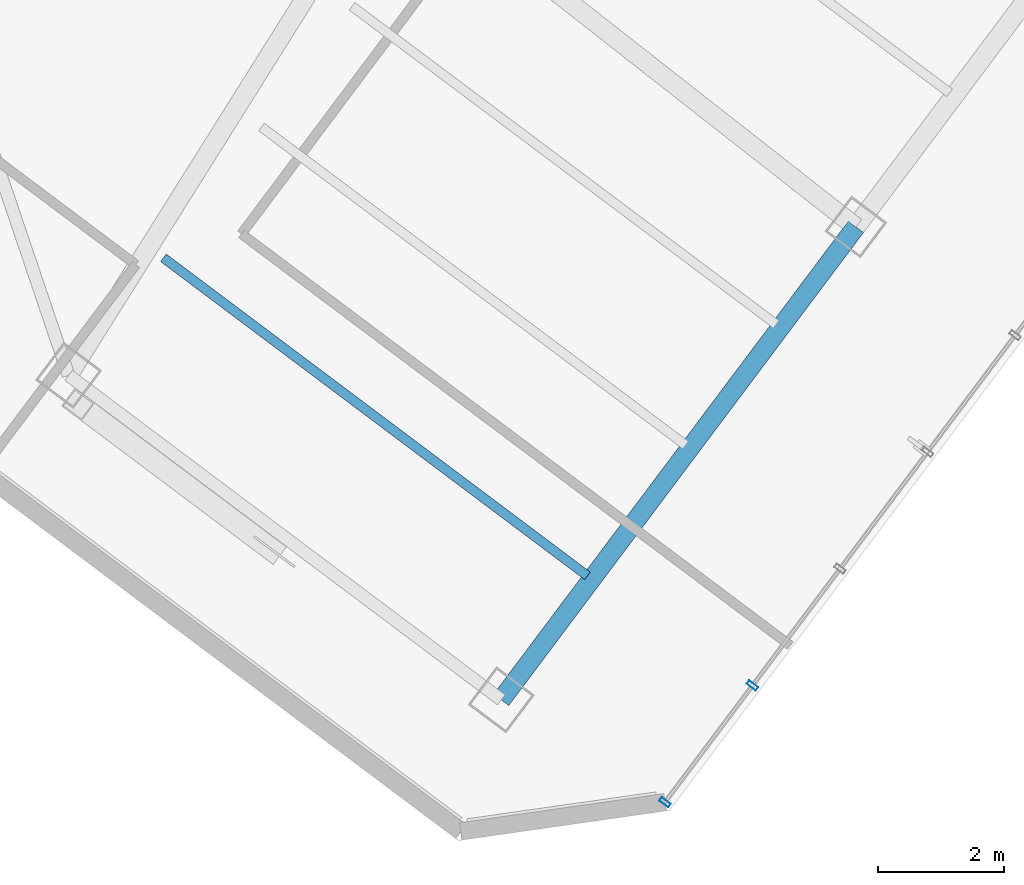
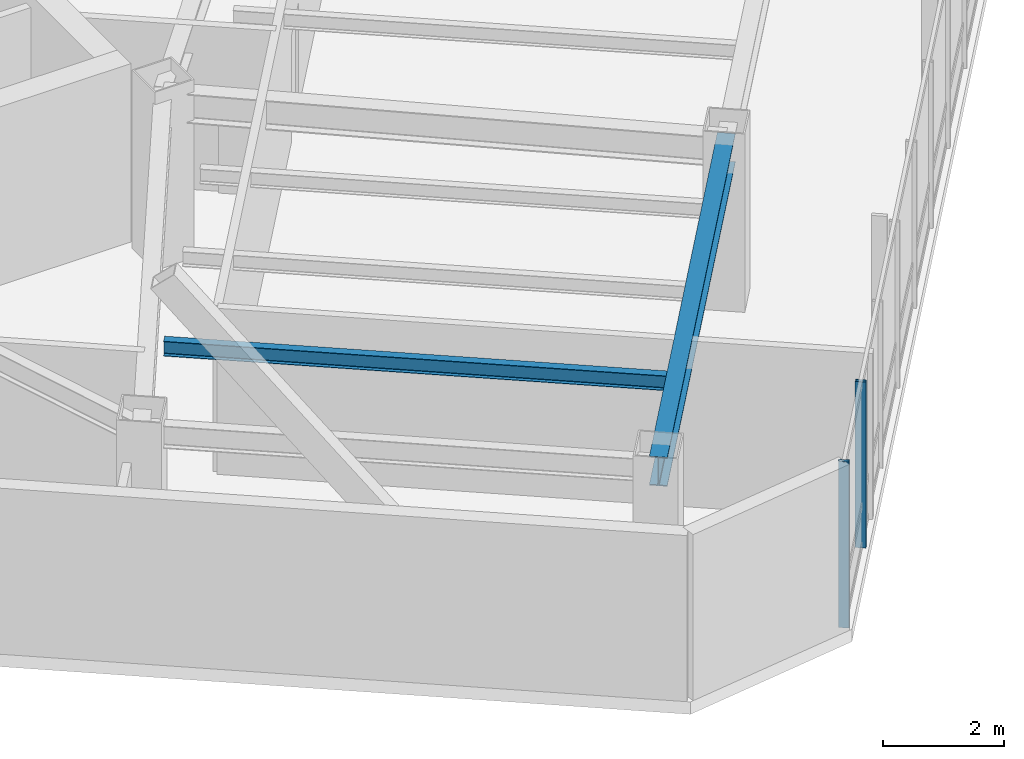
# One storey, part 2 of 25: 2 beams, 2 members, 1 element without a shape of its own.
"""IFC4 building model written with IfcOpenShell, lengths in metres."""

import ifcopenshell
import ifcopenshell.guid

model = None  # the IFC model being written
_history = None  # IfcOwnerHistory: only IFC2X3 demands one
_inside = {}  # id of a spatial element -> (the spatial element, [elements in it])
_under = {}  # id of a project, library or spatial element -> (it, [spatial elements below it])
_declared = {}  # id of a project -> (the project, [libraries it declares])
_typed = {}  # id of a type object -> (the type object, [elements of that type])
_made_of = {}  # id of a material, layer set ... -> (it, [elements and type objects made of it])


def new_model(schema):
    """Start an empty IFC model of exactly this schema.

    Asked for "IFC4X3", IfcOpenShell would pick the latest addendum, in which some entities
    have other attributes; the version numbers below select the first issue.
    IFC2X3 requires an IfcOwnerHistory on every rooted entity: one is made here for all.
    """
    global model, _history
    if schema == "IFC4X3":
        model = ifcopenshell.file(schema_version=(4, 3, 0, 0))
    else:
        model = ifcopenshell.file(schema=schema)
    _inside.clear()
    _under.clear()
    _declared.clear()
    _typed.clear()
    _made_of.clear()
    _history = None
    if model.schema == "IFC2X3":
        org = make("IfcOrganization", Name="unknown")
        user = make(
            "IfcPersonAndOrganization",
            ThePerson=make("IfcPerson", FamilyName="unknown"),
            TheOrganization=org,
        )
        app = make(
            "IfcApplication",
            ApplicationDeveloper=org,
            Version="unknown",
            ApplicationFullName="unknown",
            ApplicationIdentifier="unknown",
        )
        _history = make(
            "IfcOwnerHistory",
            OwningUser=user,
            OwningApplication=app,
            ChangeAction="ADDED",
            CreationDate=0,
        )
    return model


def make(cls, **values):
    """One entity of the class cls with the attributes given. An attribute that is None is left unset."""
    return model.create_entity(
        cls, **{name: value for name, value in values.items() if value is not None}
    )


def rooted(cls, **values):
    """An entity with a GlobalId (a new one), such as an element, a storey or a relation."""
    return make(cls, GlobalId=ifcopenshell.guid.new(), OwnerHistory=_history, **values)


def si_unit(unit_type, name, prefix=None):
    """IfcSIUnit, for example si_unit("LENGTHUNIT", "METRE", prefix="MILLI")."""
    return make("IfcSIUnit", UnitType=unit_type, Prefix=prefix, Name=name)


def assignment(units):
    """IfcUnitAssignment: the units of a project."""
    return None if units is None else make("IfcUnitAssignment", Units=units)


def point(xyz):
    """IfcCartesianPoint."""
    return None if xyz is None else make("IfcCartesianPoint", Coordinates=xyz)


def direction(xyz):
    """IfcDirection."""
    return None if xyz is None else make("IfcDirection", DirectionRatios=xyz)


def frame(location, z_axis=None, x_axis=None):
    """IfcAxis2Placement3D, a coordinate frame: its origin and axes. An axis left out is left unset."""
    return make(
        "IfcAxis2Placement3D",
        Location=point(location),
        Axis=direction(z_axis),
        RefDirection=direction(x_axis),
    )


def frame_2d(location, x_axis=None):
    """IfcAxis2Placement2D, a coordinate frame in the plane: its origin and x axis."""
    return make(
        "IfcAxis2Placement2D", Location=point(location), RefDirection=direction(x_axis)
    )


def origin():
    """The frame at (0, 0, 0) with its axes left unset."""
    return frame((0.0, 0.0, 0.0))


def origin_2d():
    """The frame at (0, 0) in the plane with its x axis left unset."""
    return frame_2d((0.0, 0.0))


def place(relative_to, where):
    """IfcLocalPlacement: puts the frame where relative to a parent placement (None: the world)."""
    return make(
        "IfcLocalPlacement", PlacementRelTo=relative_to, RelativePlacement=where
    )


def context(
    kind, dimensions, precision=None, world=None, true_north=None, identifier=None
):
    """IfcGeometricRepresentationContext, for example the 3D "Model" context."""
    return make(
        "IfcGeometricRepresentationContext",
        ContextIdentifier=identifier,
        ContextType=kind,
        CoordinateSpaceDimension=dimensions,
        Precision=precision,
        WorldCoordinateSystem=world,
        TrueNorth=true_north,
    )


def subcontext(parent, identifier, kind, view, scale=None):
    """IfcGeometricRepresentationSubContext, for example "Body" below "Model"."""
    return make(
        "IfcGeometricRepresentationSubContext",
        ContextIdentifier=identifier,
        ContextType=kind,
        ParentContext=parent,
        TargetScale=scale,
        TargetView=view,
    )


def project(units=None, contexts=None):
    """IfcProject with its units and contexts."""
    return rooted(
        "IfcProject",
        Name="project",
        RepresentationContexts=contexts,
        UnitsInContext=assignment(units),
    )


def spatial(cls, under=None, at=None, **own):
    """A site, building, storey or space (cls), placed at a placement, below another one or the project."""
    s = rooted(cls, ObjectPlacement=at, **own)
    if under is not None:
        _under.setdefault(under.id(), (under, []))[1].append(s)
    return s


def profile(cls, at=None, kind="AREA", **sizes):
    """A parametric profile (cls). Its sizes go by their IFC names, for example OverallWidth=200.0."""
    return make(cls, ProfileType=kind, Position=at, **sizes)


def hollow_rectangle(**sizes):
    """IfcRectangleHollowProfileDef."""
    return profile("IfcRectangleHollowProfileDef", **sizes)


def i_section(**sizes):
    """IfcIShapeProfileDef."""
    return profile("IfcIShapeProfileDef", **sizes)


def extrude(swept, where, along, depth):
    """IfcExtrudedAreaSolid: the profile swept, set in the frame where, extruded along a direction by depth."""
    return make(
        "IfcExtrudedAreaSolid",
        SweptArea=swept,
        Position=where,
        ExtrudedDirection=direction(along),
        Depth=depth,
    )


def shape(context_of_items, identifier, shape_type, items):
    """IfcShapeRepresentation: the items that make up one representation, for example the "Body"."""
    return make(
        "IfcShapeRepresentation",
        ContextOfItems=context_of_items,
        RepresentationIdentifier=identifier,
        RepresentationType=shape_type,
        Items=items,
    )


def material(Name=None, Category=None):
    """IfcMaterial."""
    return make("IfcMaterial", Name=Name, Category=Category)


def layer(
    of_material, thickness, ventilated=None, Name=None, Category=None, Priority=None
):
    """IfcMaterialLayer: one layer of a wall or slab, of a material (None: an air gap)."""
    return make(
        "IfcMaterialLayer",
        Material=of_material,
        LayerThickness=thickness,
        IsVentilated=ventilated,
        Name=Name,
        Category=Category,
        Priority=Priority,
    )


def layer_set(layers, Name=None):
    """IfcMaterialLayerSet."""
    return make("IfcMaterialLayerSet", MaterialLayers=layers, LayerSetName=Name)


def material_profile(
    of_material, cross_section, Name=None, Category=None, Priority=None
):
    """IfcMaterialProfile: a cross section and its material."""
    return make(
        "IfcMaterialProfile",
        Name=Name,
        Material=of_material,
        Profile=cross_section,
        Priority=Priority,
        Category=Category,
    )


def profile_set(profiles, Name=None, composite=None):
    """IfcMaterialProfileSet."""
    return make(
        "IfcMaterialProfileSet",
        Name=Name,
        MaterialProfiles=profiles,
        CompositeProfile=composite,
    )


def made_of(thing, what):
    """Note that an element or type object is made of a material, layer set ...; save() writes the relation."""
    if what is not None:
        _made_of.setdefault(what.id(), (what, []))[1].append(thing)
    return thing


def type_object(cls, material=None, **own):
    """A type object (cls), such as IfcWallType, which elements share."""
    return made_of(rooted(cls, **own), material)


def element(
    cls,
    number,
    at=None,
    inside=None,
    cuts=None,
    type_object=None,
    material=None,
    context=None,
    identifier="Body",
    shape_type=None,
    held_by="IfcProductDefinitionShape",
    body=None,
    shapes=None,
    **own,
):
    """One element of the class cls, such as IfcWall. Its Tag is "e" and its number.

    at: its placement. inside: the storey or other place that contains it. cuts: it is an
    opening in that element (IfcRelVoidsElement). A single representation is given by context,
    identifier, shape_type and body (its items); several are given by shapes. held_by: the class
    of the entity that holds the representations. save() writes the other relations.
    """
    e = rooted(cls, Tag="e%d" % number, ObjectPlacement=at, **own)
    if body is not None:
        shapes = [shape(context, identifier, shape_type, body)]
    if shapes is not None:
        e.Representation = make(held_by, Representations=shapes)
    if inside is not None:
        _inside.setdefault(inside.id(), (inside, []))[1].append(e)
    if cuts is not None:
        rooted(
            "IfcRelVoidsElement", RelatingBuildingElement=cuts, RelatedOpeningElement=e
        )
    if type_object is not None:
        _typed.setdefault(type_object.id(), (type_object, []))[1].append(e)
    return made_of(e, material)


def aggregate(whole, parts):
    """IfcRelAggregates: a whole, such as a stair, and the parts it consists of."""
    return rooted("IfcRelAggregates", RelatingObject=whole, RelatedObjects=parts)


def save(model, path):
    """Write the relations noted so far, then the file.

    IfcRelAggregates (storeys below a building ...), IfcRelContainedInSpatialStructure (elements
    in a storey), IfcRelDefinesByType, IfcRelAssociatesMaterial and IfcRelDeclares: one each for
    every whole, place, type object, material and project.
    """
    for whole, parts in _under.values():
        aggregate(whole, parts)
    for where, things in _inside.values():
        rooted(
            "IfcRelContainedInSpatialStructure",
            RelatedElements=things,
            RelatingStructure=where,
        )
    for kind, things in _typed.values():
        rooted("IfcRelDefinesByType", RelatedObjects=things, RelatingType=kind)
    for what, things in _made_of.values():
        rooted("IfcRelAssociatesMaterial", RelatedObjects=things, RelatingMaterial=what)
    for by, libraries in _declared.values():
        rooted("IfcRelDeclares", RelatingContext=by, RelatedDefinitions=libraries)
    model.write(path)


model = new_model("IFC4")

# Units and contexts
model_context = context("Model", 3, precision=1e-05, world=origin(), true_north=direction((0.0, 1.0)))
body_context = subcontext(model_context, "Body", "Model", "MODEL_VIEW")
ifc_project = project(units=[si_unit("LENGTHUNIT", "METRE"), si_unit("AREAUNIT", "SQUARE_METRE"), si_unit("VOLUMEUNIT", "CUBIC_METRE"), si_unit("PLANEANGLEUNIT", "RADIAN"), si_unit("MASSUNIT", "GRAM", prefix="KILO")], contexts=[model_context])

# Site, building, storey
site_placement = place(None, origin())
site = spatial("IfcSite", under=ifc_project, at=site_placement, CompositionType="ELEMENT")
building_placement = place(site_placement, origin())
building = spatial("IfcBuilding", under=site, at=building_placement, Name="Hatsunagi Terrace Concourse", CompositionType="ELEMENT")
storey_placement = place(building_placement, frame((0.0, 0.0, 205.949951171875)))
storey = spatial("IfcBuildingStorey", under=building, at=storey_placement, Name="L54", CompositionType="ELEMENT", Elevation=205.949951171875)

# Curtain wall, members
ifc_material_1 = material(Name="Anodised Aluminium Alloy 6063-T5", Category="aluminium")
ifc_layer = layer(ifc_material_1, 0.199951171875)
ifc_layer_set = layer_set([ifc_layer], Name="OfficeZone2_CW04")
curtain_wall_type = type_object("IfcCurtainWallType", Name="OfficeZone2_CW04", PredefinedType="NOTDEFINED", material=ifc_layer_set)
curtain_wall_placement = place(storey_placement, origin())
curtain_wall = element("IfcCurtainWall", 1, at=curtain_wall_placement, inside=storey, type_object=curtain_wall_type, Name="Unitised Curtain Wall CW-04 CW-L54-03", PredefinedType="NOTDEFINED")
ifc_material_2 = material(Name="Anodised Aluminium Alloy 6063-T5", Category="aluminium")
ifc_material_profile_1 = material_profile(ifc_material_2, hollow_rectangle(XDim=0.070068359375, YDim=0.179931640625, WallThickness=0.00390625, at=origin_2d()), Name="ALU-MUL-180x70x4")
ifc_profile_set_1 = profile_set([ifc_material_profile_1], Name="Anodised Aluminium Alloy 6063-T5")
member_type = type_object("IfcMemberType", Name="CurtainWallMullion_180x70", PredefinedType="MULLION", material=ifc_profile_set_1)
member_1_placement = place(storey_placement, frame((49.554931640625, 11.10595703125, 0.0), z_axis=(0.0, 0.0, 1.0), x_axis=(-0.599969314634, -0.800023013105, 0.0)))
member_1 = element("IfcMember", 2, at=member_1_placement, type_object=member_type, Name="Curtain Wall Mullion MUL-02", PredefinedType="MULLION", context=body_context, shape_type="SweptSolid", body=[
    extrude(hollow_rectangle(XDim=0.070068359375, YDim=0.179931640625, WallThickness=0.00390625, at=origin_2d()), origin(), (0.0, 0.0, 1.0), 3.35009765625),
])
member_2_placement = place(storey_placement, frame((48.1630859375, 9.25, 0.0), z_axis=(0.0, 0.0, 1.0), x_axis=(-0.599969314634, -0.800023013105, 0.0)))
member_2 = element("IfcMember", 3, at=member_2_placement, type_object=member_type, Name="Curtain Wall Mullion MUL-02", PredefinedType="MULLION", context=body_context, shape_type="SweptSolid", body=[
    extrude(hollow_rectangle(XDim=0.070068359375, YDim=0.179931640625, WallThickness=0.00390625, at=origin_2d()), origin(), (0.0, 0.0, 1.0), 3.35009765625),
])
aggregate(curtain_wall, [member_1, member_2])

# Beams
ifc_material_3 = material(Name="Steel SN490B", Category="steel")
ifc_material_profile_2 = material_profile(ifc_material_3, i_section(OverallWidth=0.300048828125, OverallDepth=0.587890625, WebThickness=0.011962890625, FlangeThickness=0.02001953125, FilletRadius=0.01806640625, at=origin_2d()), Name="H-588x300x12x20")
ifc_profile_set_2 = profile_set([ifc_material_profile_2], Name="Steel SN490B")
beam_type_1 = type_object("IfcBeamType", Name="OfficeHighGirder_H_588x300", PredefinedType="BEAM", material=ifc_profile_set_2)
beam_1_placement = place(storey_placement, frame((45.56005859375, 10.8798828125, 3.05615234375), z_axis=(0.599991688754, 0.800006233367, 0.0), x_axis=(-0.800006233367, 0.599991688754, 0.0)))
element("IfcBeam", 4, at=beam_1_placement, inside=storey, type_object=beam_type_1, Name="Beam G-06 BM-L54-SET-2A", PredefinedType="BEAM", context=body_context, shape_type="SweptSolid", body=[
    extrude(i_section(OverallWidth=0.300048828125, OverallDepth=0.587890625, WebThickness=0.011962890625, FlangeThickness=0.02001953125, FilletRadius=0.01806640625, at=origin_2d()), origin(), (0.0, 0.0, 1.0), 9.39990234375),
])
ifc_material_4 = material(Name="Steel SN490B", Category="steel")
ifc_material_profile_3 = material_profile(ifc_material_4, i_section(OverallWidth=0.14990234375, OverallDepth=0.300048828125, WebThickness=0.006591796875, FlangeThickness=0.009033203125, FilletRadius=0.010986328125, at=origin_2d()), Name="H-300x150x6.5x9")
ifc_profile_set_3 = profile_set([ifc_material_profile_3], Name="Steel SN490B")
beam_type_2 = type_object("IfcBeamType", Name="OfficeJoist_H_300x150", PredefinedType="JOIST", material=ifc_profile_set_3)
beam_2_placement = place(storey_placement, frame((40.18798828125, 17.908935546875, 3.199951171875), z_axis=(0.800003475366, -0.59999536615, 0.0), x_axis=(0.59999536615, 0.800003475366, 0.0)))
element("IfcBeam", 5, at=beam_2_placement, inside=storey, type_object=beam_type_2, Name="Beam J-03 J-L54-SE-2-46", PredefinedType="JOIST", context=body_context, shape_type="SweptSolid", body=[
    extrude(i_section(OverallWidth=0.14990234375, OverallDepth=0.300048828125, WebThickness=0.006591796875, FlangeThickness=0.009033203125, FilletRadius=0.010986328125, at=origin_2d()), origin(), (0.0, 0.0, 1.0), 8.429931640625),
])

save(model, "model.ifc")
